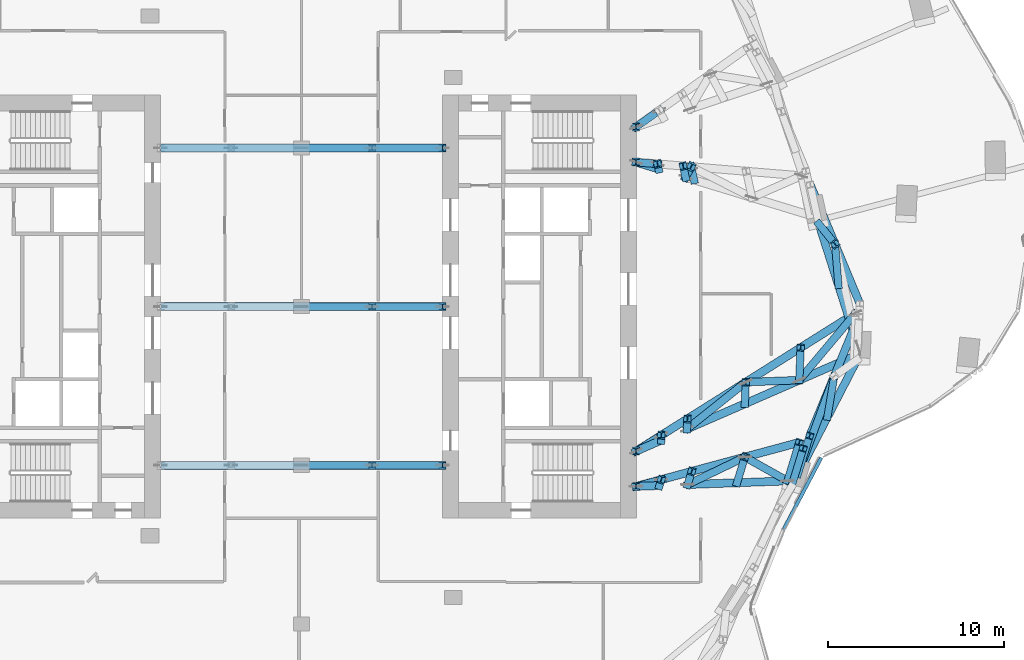
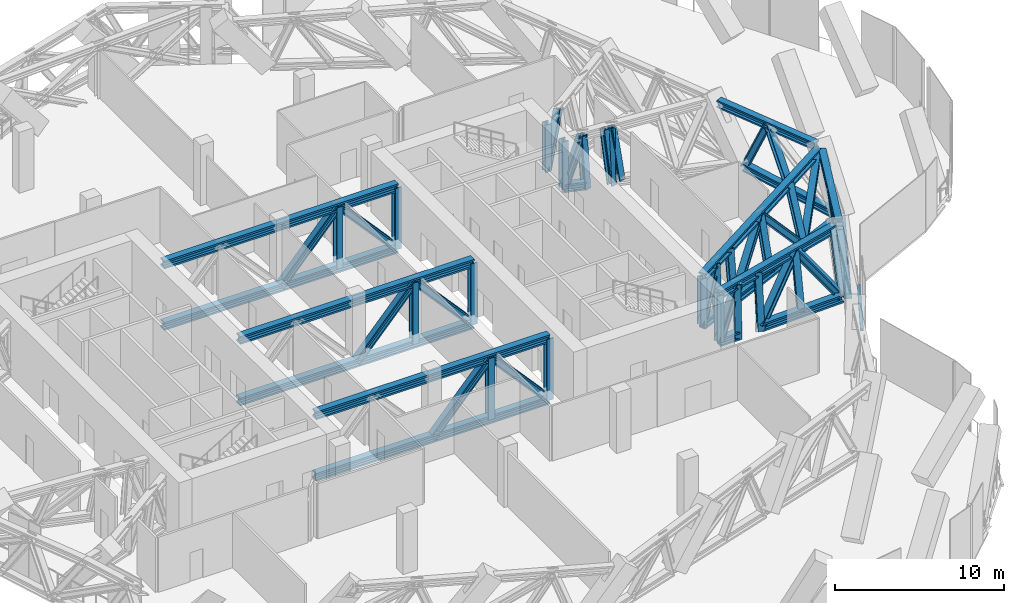
# One storey, part 9 of 31: 61 members, 1 element without a shape of its own.
"""IFC4 building model written with IfcOpenShell, lengths in metres."""

from ifc_helpers import new_model, si_unit, direction, frame, origin, origin_2d, place, context, subcontext, project, spatial, rectangle, i_section, extrude, material, material_profile, profile_set, type_object, element, aggregate, save


model = new_model("IFC4")

# Units and contexts
model_context = context("Model", 3, precision=1e-05, world=origin(), true_north=direction((0.0, 1.0)))
body_context = subcontext(model_context, "Body", "Model", "MODEL_VIEW")
ifc_project = project(units=[si_unit("LENGTHUNIT", "METRE"), si_unit("AREAUNIT", "SQUARE_METRE"), si_unit("VOLUMEUNIT", "CUBIC_METRE"), si_unit("PLANEANGLEUNIT", "RADIAN"), si_unit("MASSUNIT", "GRAM", prefix="KILO")], contexts=[model_context])

# Site, building, storey
site_placement = place(None, origin())
site = spatial("IfcSite", under=ifc_project, at=site_placement, CompositionType="ELEMENT")
building_placement = place(site_placement, origin())
building = spatial("IfcBuilding", under=site, at=building_placement, Name="Orlundy Tower", CompositionType="ELEMENT")
storey_placement = place(building_placement, frame((0.0, 0.0, 271.0)))
storey = spatial("IfcBuildingStorey", under=building, at=storey_placement, Name="L72", CompositionType="ELEMENT", Elevation=271.0)

# Members
ifc_material_1 = material(Name="Steel ASTM A992 Gr 50", Category="steel")
ifc_material_profile_1 = material_profile(ifc_material_1, i_section(OverallWidth=0.4423828125, OverallDepth=0.531494140625, WebThickness=0.06591796875, FlangeThickness=0.105712890625, at=origin_2d()), Name="W14X605")
ifc_profile_set_1 = profile_set([ifc_material_profile_1], Name="Steel ASTM A992 Gr 50")
member_type_1 = type_object("IfcMemberType", Name="BELT TRUSS chord W14X605", PredefinedType="CHORD", material=ifc_profile_set_1)
member_1_placement = place(storey_placement, frame((28.1630859375, -9.5166015625, 0.28466796875), z_axis=(0.458704164439, 0.888589044231, 0.0), x_axis=(-0.888589044231, 0.458704164439, 0.0)))
element("IfcMember", 1, at=member_1_placement, inside=storey, type_object=member_type_1, Name="Belt truss bottom chord BT-11", PredefinedType="CHORD", context=body_context, shape_type="SweptSolid", body=[
    extrude(i_section(OverallWidth=0.4423828125, OverallDepth=0.531494140625, WebThickness=0.06591796875, FlangeThickness=0.105712890625, at=origin_2d()), origin(), (0.0, 0.0, 1.0), 7.310791015625),
])
member_2_placement = place(storey_placement, frame((28.831298828125, -7.3291015625, 3.71533203125), z_axis=(0.38092781921, 0.924604778569, 0.0), x_axis=(-0.924604778569, 0.38092781921, 0.0)))
element("IfcMember", 2, at=member_2_placement, inside=storey, type_object=member_type_1, Name="Belt truss top chord BT-11", PredefinedType="CHORD", context=body_context, shape_type="SweptSolid", body=[
    extrude(i_section(OverallWidth=0.4423828125, OverallDepth=0.531494140625, WebThickness=0.06591796875, FlangeThickness=0.105712890625, at=origin_2d()), origin(), (0.0, 0.0, 1.0), 7.3115234375),
])
member_3_placement = place(storey_placement, frame((31.578857421875, -2.279052734375, 0.28466796875), z_axis=(-0.304040173793, 0.952659211219, 0.0), x_axis=(-0.952659211219, -0.304040173793, 0.0)))
element("IfcMember", 3, at=member_3_placement, inside=storey, type_object=member_type_1, Name="Belt truss bottom chord BT-12", PredefinedType="CHORD", context=body_context, shape_type="SweptSolid", body=[
    extrude(i_section(OverallWidth=0.4423828125, OverallDepth=0.531494140625, WebThickness=0.06591796875, FlangeThickness=0.105712890625, at=origin_2d()), origin(), (0.0, 0.0, 1.0), 7.311279296875),
])
member_4_placement = place(storey_placement, frame((31.6787109375, 0.172119140625, 3.71533203125), z_axis=(-0.384366396664, 0.923180628651, 0.0), x_axis=(-0.923180628651, -0.384366396664, 0.0)))
element("IfcMember", 4, at=member_4_placement, inside=storey, type_object=member_type_1, Name="Belt truss top chord BT-12", PredefinedType="CHORD", context=body_context, shape_type="SweptSolid", body=[
    extrude(i_section(OverallWidth=0.4423828125, OverallDepth=0.531494140625, WebThickness=0.06591796875, FlangeThickness=0.105712890625, at=origin_2d()), origin(), (0.0, 0.0, 1.0), 7.310791015625),
])
ifc_material_2 = material(Name="Steel ASTM A992 Gr 50", Category="steel")
ifc_material_profile_2 = material_profile(ifc_material_2, i_section(OverallWidth=0.42431640625, OverallDepth=0.47412109375, WebThickness=0.0478515625, FlangeThickness=0.0771484375, at=origin_2d()), Name="W14X426")
ifc_profile_set_2 = profile_set([ifc_material_profile_2], Name="Steel ASTM A992 Gr 50")
member_type_2 = type_object("IfcMemberType", Name="BELT TRUSS diagonal W14X426", PredefinedType="BRACE", material=ifc_profile_set_2)
member_5_placement = place(storey_placement, frame((28.1630859375, -9.5166015625, 0.28466796875), z_axis=(0.300549993706, 0.811994148378, 0.500335091997), x_axis=(-0.93781967783, 0.347122819582, 0.0)))
element("IfcMember", 5, at=member_5_placement, inside=storey, type_object=member_type_2, Name="Belt truss diagonal BT-11-0", PredefinedType="BRACE", context=body_context, shape_type="SweptSolid", body=[
    extrude(i_section(OverallWidth=0.42431640625, OverallDepth=0.47412109375, WebThickness=0.0478515625, FlangeThickness=0.0771484375, at=origin_2d()), origin(), (0.0, 0.0, 1.0), 6.856689453125),
])
member_6_placement = place(storey_placement, frame((30.273681640625, 3.546875, 3.71533203125), z_axis=(-0.246070074277, 0.305443726145, -0.919866103683), x_axis=(-0.778731260237, -0.627357652643, 0.0)))
element("IfcMember", 6, at=member_6_placement, inside=storey, type_object=member_type_2, Name="Belt truss diagonal BT-12-1", PredefinedType="BRACE", context=body_context, shape_type="SweptSolid", body=[
    extrude(i_section(OverallWidth=0.42431640625, OverallDepth=0.47412109375, WebThickness=0.0478515625, FlangeThickness=0.0771484375, at=origin_2d()), origin(), (0.0, 0.0, 1.0), 3.7294921875),
])
ifc_material_3 = material(Name="Steel ASTM A992 Gr 50", Category="steel")
ifc_material_profile_3 = material_profile(ifc_material_3, i_section(OverallWidth=0.412109375, OverallDepth=0.434814453125, WebThickness=0.035888671875, FlangeThickness=0.057373046875, at=origin_2d()), Name="W14X311")
ifc_profile_set_3 = profile_set([ifc_material_profile_3], Name="Steel ASTM A992 Gr 50")
member_type_3 = type_object("IfcMemberType", Name="BELT TRUSS post W14X311", PredefinedType="POST", material=ifc_profile_set_3)
for number, where, z_axis, x_axis, name in (
    (7, (27.7939453125, -10.232177734375, 0.28466796875), (0.161997344002, 0.530576827341, 0.832012674678), (-0.956413689737, 0.29201516071, 0.0), "Belt truss post BT-10-2"),
    (8, (28.1630859375, -9.5166015625, 0.28466796875), (0.162060089735, 0.530529194017, 0.832030829724), (-0.956374768731, 0.292142605136, 0.0), "Belt truss post BT-11-0"),
):
    element("IfcMember", number, at=place(storey_placement, frame(where, z_axis=z_axis, x_axis=x_axis)), inside=storey, type_object=member_type_3, Name=name, PredefinedType="POST", context=body_context, shape_type="SweptSolid", body=[
        extrude(i_section(OverallWidth=0.412109375, OverallDepth=0.434814453125, WebThickness=0.035888671875, FlangeThickness=0.057373046875, at=origin_2d()), origin(), (0.0, 0.0, 1.0), 4.123291015625),
    ])
member_7_placement = place(storey_placement, frame((29.83984375, -6.2685546875, 0.28466796875), z_axis=(0.092337581766, 0.557723689992, 0.824874570232), x_axis=(-0.98657015958, 0.163338055049, 0.0)))
element("IfcMember", 9, at=member_7_placement, inside=storey, type_object=member_type_3, Name="Belt truss post BT-11-1", PredefinedType="POST", context=body_context, shape_type="SweptSolid", body=[
    extrude(i_section(OverallWidth=0.412109375, OverallDepth=0.434814453125, WebThickness=0.035888671875, FlangeThickness=0.057373046875, at=origin_2d()), origin(), (0.0, 0.0, 1.0), 4.158935546875),
])
member_8_placement = place(storey_placement, frame((30.46728515625, 1.20361328125, 0.28466796875), z_axis=(-0.04654977986, 0.563410828624, 0.824864447158), x_axis=(-0.996604229365, -0.0823408162, 0.0)))
element("IfcMember", 10, at=member_8_placement, inside=storey, type_object=member_type_3, Name="Belt truss post BT-12-1", PredefinedType="POST", context=body_context, shape_type="SweptSolid", body=[
    extrude(i_section(OverallWidth=0.412109375, OverallDepth=0.434814453125, WebThickness=0.035888671875, FlangeThickness=0.057373046875, at=origin_2d()), origin(), (0.0, 0.0, 1.0), 4.1591796875),
])

# Curtain wall, member
ifc_material_4 = material(Name="Aluminium bronze anodised", Category="aluminium")
curtain_wall_type = type_object("IfcCurtainWallType", Name="CW4 wall", PredefinedType="NOTDEFINED", material=ifc_material_4)
curtain_wall_placement = place(storey_placement, origin())
curtain_wall = element("IfcCurtainWall", 11, at=curtain_wall_placement, inside=storey, type_object=curtain_wall_type, Name="CW4 run 030", PredefinedType="NOTDEFINED")
ifc_material_5 = material(Name="Aluminium bronze anodised", Category="aluminium")
ifc_material_profile_4 = material_profile(ifc_material_5, rectangle(XDim=0.199951171875, YDim=0.14990234375, at=origin_2d()), Name="CW4 transom 200x150")
ifc_profile_set_4 = profile_set([ifc_material_profile_4], Name="Aluminium bronze anodised")
member_type_4 = type_object("IfcMemberType", Name="CW4 transom 200x150", PredefinedType="USERDEFINED", material=ifc_profile_set_4)
member_9_placement = place(storey_placement, frame((29.495361328125, -8.565185546875, -0.375), z_axis=(-0.46439269995, -0.885629392146, 0.0), x_axis=(0.885629392146, -0.46439269995, 0.0)))
member_9 = element("IfcMember", 12, at=member_9_placement, type_object=member_type_4, Name="CW4 transom", ObjectType="TRANSOM", PredefinedType="USERDEFINED", context=body_context, shape_type="SweptSolid", body=[
    extrude(rectangle(XDim=0.199951171875, YDim=0.14990234375, at=origin_2d()), origin(), (0.0, 0.0, 1.0), 4.587890625),
])
aggregate(curtain_wall, [member_9])

# Members
ifc_material_6 = material(Name="Steel ASTM A992 Gr 50", Category="steel")
ifc_material_profile_5 = material_profile(ifc_material_6, i_section(OverallWidth=0.454345703125, OverallDepth=0.569580078125, WebThickness=0.077880859375, FlangeThickness=0.124755859375, at=origin_2d()), Name="W14X730")
ifc_profile_set_5 = profile_set([ifc_material_profile_5], Name="Steel ASTM A992 Gr 50")
member_type_5 = type_object("IfcMemberType", Name="OUTRIGGER TRUSS chord W14X730", PredefinedType="CHORD", material=ifc_profile_set_5)
member_10_placement = place(storey_placement, frame((18.97998046875, -10.199951171875, 0.28466796875), z_axis=(0.999346865511, 0.036136441356, 0.0), x_axis=(-0.036136441356, 0.999346865511, 0.0)))
element("IfcMember", 13, at=member_10_placement, inside=storey, type_object=member_type_5, Name="Outrigger truss bottom chord OR-E-C-H08", PredefinedType="CHORD", context=body_context, shape_type="SweptSolid", body=[
    extrude(i_section(OverallWidth=0.454345703125, OverallDepth=0.569580078125, WebThickness=0.077880859375, FlangeThickness=0.124755859375, at=origin_2d()), origin(), (0.0, 0.0, 1.0), 1.3310546875),
])
member_11_placement = place(storey_placement, frame((21.9091796875, -10.093994140625, 0.28466796875), z_axis=(0.999345850295, 0.036164506042, 0.0), x_axis=(-0.036164506042, 0.999345850295, 0.0)))
element("IfcMember", 14, at=member_11_placement, inside=storey, type_object=member_type_5, Name="Outrigger truss bottom chord OR-E-C-H082", PredefinedType="CHORD", context=body_context, shape_type="SweptSolid", body=[
    extrude(i_section(OverallWidth=0.454345703125, OverallDepth=0.569580078125, WebThickness=0.077880859375, FlangeThickness=0.124755859375, at=origin_2d()), origin(), (0.0, 0.0, 1.0), 5.670654296875),
])
member_12_placement = place(storey_placement, frame((18.97998046875, -10.199951171875, 3.71533203125), z_axis=(0.965497496513, 0.260412335015, 0.0), x_axis=(-0.260412335015, 0.965497496513, 0.0)))
element("IfcMember", 15, at=member_12_placement, inside=storey, type_object=member_type_5, Name="Outrigger truss top chord OR-E-C-H08", PredefinedType="CHORD", context=body_context, shape_type="SweptSolid", body=[
    extrude(i_section(OverallWidth=0.454345703125, OverallDepth=0.569580078125, WebThickness=0.077880859375, FlangeThickness=0.124755859375, at=origin_2d()), origin(), (0.0, 0.0, 1.0), 9.595458984375),
])
member_13_placement = place(storey_placement, frame((18.97998046875, -8.199951171875, 0.28466796875), z_axis=(0.91692012074, 0.399070785929, 0.0), x_axis=(-0.399070785929, 0.91692012074, 0.0)))
element("IfcMember", 16, at=member_13_placement, inside=storey, type_object=member_type_5, Name="Outrigger truss bottom chord OR-E-C-H07", PredefinedType="CHORD", context=body_context, shape_type="SweptSolid", body=[
    extrude(i_section(OverallWidth=0.454345703125, OverallDepth=0.569580078125, WebThickness=0.077880859375, FlangeThickness=0.124755859375, at=origin_2d()), origin(), (0.0, 0.0, 1.0), 1.553955078125),
])
member_14_placement = place(storey_placement, frame((21.871826171875, -6.941162109375, 0.28466796875), z_axis=(0.91690407926, 0.399107641416, 0.0), x_axis=(-0.399107641416, 0.91690407926, 0.0)))
element("IfcMember", 17, at=member_14_placement, inside=storey, type_object=member_type_5, Name="Outrigger truss bottom chord OR-E-C-H072", PredefinedType="CHORD", context=body_context, shape_type="SweptSolid", body=[
    extrude(i_section(OverallWidth=0.454345703125, OverallDepth=0.569580078125, WebThickness=0.077880859375, FlangeThickness=0.124755859375, at=origin_2d()), origin(), (0.0, 0.0, 1.0), 10.31787109375),
])
member_15_placement = place(storey_placement, frame((18.97998046875, -8.199951171875, 3.71533203125), z_axis=(0.846599366914, 0.532230694287, 0.0), x_axis=(-0.532230694287, 0.846599366914, 0.0)))
element("IfcMember", 18, at=member_15_placement, inside=storey, type_object=member_type_5, Name="Outrigger truss top chord OR-E-C-H07", PredefinedType="CHORD", context=body_context, shape_type="SweptSolid", body=[
    extrude(i_section(OverallWidth=0.454345703125, OverallDepth=0.569580078125, WebThickness=0.077880859375, FlangeThickness=0.124755859375, at=origin_2d()), origin(), (0.0, 0.0, 1.0), 14.708251953125),
])
member_16_placement = place(storey_placement, frame((18.97998046875, 8.199951171875, 0.28466796875), z_axis=(0.956422199644, -0.291987287444, 0.0), x_axis=(0.291987287444, 0.956422199644, 0.0)))
element("IfcMember", 19, at=member_16_placement, inside=storey, type_object=member_type_5, Name="Outrigger truss bottom chord OR-E-C-H06", PredefinedType="CHORD", context=body_context, shape_type="SweptSolid", body=[
    extrude(i_section(OverallWidth=0.454345703125, OverallDepth=0.569580078125, WebThickness=0.077880859375, FlangeThickness=0.124755859375, at=origin_2d()), origin(), (0.0, 0.0, 1.0), 1.341064453125),
])
ifc_material_7 = material(Name="Steel ASTM A992 Gr 50", Category="steel")
ifc_material_profile_6 = material_profile(ifc_material_7, i_section(OverallWidth=0.43212890625, OverallDepth=0.497802734375, WebThickness=0.0556640625, FlangeThickness=0.0888671875, at=origin_2d()), Name="W14X500")
ifc_profile_set_6 = profile_set([ifc_material_profile_6], Name="Steel ASTM A992 Gr 50")
member_type_6 = type_object("IfcMemberType", Name="OUTRIGGER TRUSS diagonal W14X500", PredefinedType="BRACE", material=ifc_profile_set_6)
member_17_placement = place(storey_placement, frame((18.97998046875, -10.199951171875, 0.28466796875), z_axis=(0.383500187585, 0.103385694303, 0.917735803124), x_axis=(-0.260291885528, 0.965529975883, 0.0)))
element("IfcMember", 20, at=member_17_placement, inside=storey, type_object=member_type_6, Name="Outrigger truss diagonal OR-E-C-H08-0", PredefinedType="BRACE", context=body_context, shape_type="SweptSolid", body=[
    extrude(i_section(OverallWidth=0.43212890625, OverallDepth=0.497802734375, WebThickness=0.0556640625, FlangeThickness=0.0888671875, at=origin_2d()), origin(), (0.0, 0.0, 1.0), 3.73828125),
])
member_18_placement = place(storey_placement, frame((21.9091796875, -10.093994140625, 0.28466796875), z_axis=(0.652739195593, 0.31356020456, 0.689645953119), x_axis=(-0.433006460857, 0.901390816936, 0.0)))
element("IfcMember", 21, at=member_18_placement, inside=storey, type_object=member_type_6, Name="Outrigger truss diagonal OR-E-C-H08-2", PredefinedType="BRACE", context=body_context, shape_type="SweptSolid", body=[
    extrude(i_section(OverallWidth=0.43212890625, OverallDepth=0.497802734375, WebThickness=0.0556640625, FlangeThickness=0.0888671875, at=origin_2d()), origin(), (0.0, 0.0, 1.0), 4.974609375),
])
member_19_placement = place(storey_placement, frame((25.15625, -8.5341796875, 3.71533203125), z_axis=(0.548556203985, -0.307096284898, -0.777674715335), x_axis=(0.48848809778, 0.872570557793, 0.0)))
element("IfcMember", 22, at=member_19_placement, inside=storey, type_object=member_type_6, Name="Outrigger truss diagonal OR-E-C-H08-3", PredefinedType="BRACE", context=body_context, shape_type="SweptSolid", body=[
    extrude(i_section(OverallWidth=0.43212890625, OverallDepth=0.497802734375, WebThickness=0.0556640625, FlangeThickness=0.0888671875, at=origin_2d()), origin(), (0.0, 0.0, 1.0), 4.411376953125),
])
member_20_placement = place(storey_placement, frame((18.97998046875, -8.199951171875, 0.28466796875), z_axis=(0.375336812226, 0.235893190281, 0.896368607308), x_axis=(-0.532118499725, 0.846669889774, 0.0)))
element("IfcMember", 23, at=member_20_placement, inside=storey, type_object=member_type_6, Name="Outrigger truss diagonal OR-E-C-H07-0", PredefinedType="BRACE", context=body_context, shape_type="SweptSolid", body=[
    extrude(i_section(OverallWidth=0.43212890625, OverallDepth=0.497802734375, WebThickness=0.0556640625, FlangeThickness=0.0888671875, at=origin_2d()), origin(), (0.0, 0.0, 1.0), 3.827392578125),
])
member_21_placement = place(storey_placement, frame((21.871826171875, -6.941162109375, 0.28466796875), z_axis=(0.609384116779, 0.485294109548, 0.627009270629), x_axis=(-0.622961184341, 0.782252748671, 0.0)))
element("IfcMember", 24, at=member_21_placement, inside=storey, type_object=member_type_6, Name="Outrigger truss diagonal OR-E-C-H07-2", PredefinedType="BRACE", context=body_context, shape_type="SweptSolid", body=[
    extrude(i_section(OverallWidth=0.43212890625, OverallDepth=0.497802734375, WebThickness=0.0556640625, FlangeThickness=0.0888671875, at=origin_2d()), origin(), (0.0, 0.0, 1.0), 5.471435546875),
])
member_22_placement = place(storey_placement, frame((25.2060546875, -4.285888671875, 3.71533203125), z_axis=(0.662752616087, 0.025830522244, -0.748392780557), x_axis=(-0.038945038316, 0.999241354224, 0.0)))
element("IfcMember", 25, at=member_22_placement, inside=storey, type_object=member_type_6, Name="Outrigger truss diagonal OR-E-C-H07-3", PredefinedType="BRACE", context=body_context, shape_type="SweptSolid", body=[
    extrude(i_section(OverallWidth=0.43212890625, OverallDepth=0.497802734375, WebThickness=0.0556640625, FlangeThickness=0.0888671875, at=origin_2d()), origin(), (0.0, 0.0, 1.0), 4.583984375),
])
member_23_placement = place(storey_placement, frame((28.244140625, -4.16748046875, 0.28466796875), z_axis=(0.528812836555, 0.629658663546, 0.56911066702), x_axis=(-0.765765020731, 0.643120465407, 0.0)))
element("IfcMember", 26, at=member_23_placement, inside=storey, type_object=member_type_6, Name="Outrigger truss diagonal OR-E-C-H07-4", PredefinedType="BRACE", context=body_context, shape_type="SweptSolid", body=[
    extrude(i_section(OverallWidth=0.43212890625, OverallDepth=0.497802734375, WebThickness=0.0556640625, FlangeThickness=0.0888671875, at=origin_2d()), origin(), (0.0, 0.0, 1.0), 6.028076171875),
])
member_24_placement = place(storey_placement, frame((18.97998046875, 8.199951171875, 0.28466796875), z_axis=(0.334745765878, -0.027750249714, 0.941899780161), x_axis=(0.082616083207, 0.996581448149, 0.0)))
element("IfcMember", 27, at=member_24_placement, inside=storey, type_object=member_type_6, Name="Outrigger truss diagonal OR-E-C-H06-0", PredefinedType="BRACE", context=body_context, shape_type="SweptSolid", body=[
    extrude(i_section(OverallWidth=0.43212890625, OverallDepth=0.497802734375, WebThickness=0.0556640625, FlangeThickness=0.0888671875, at=origin_2d()), origin(), (0.0, 0.0, 1.0), 3.642333984375),
])
member_25_placement = place(storey_placement, frame((21.792724609375, 7.34130859375, 0.28466796875), z_axis=(0.089925019921, 0.171471932396, 0.981076381936), x_axis=(-0.885605581266, 0.464438106136, 0.0)))
element("IfcMember", 28, at=member_25_placement, inside=storey, type_object=member_type_6, Name="Outrigger truss diagonal OR-E-C-H06-2", PredefinedType="BRACE", context=body_context, shape_type="SweptSolid", body=[
    extrude(i_section(OverallWidth=0.43212890625, OverallDepth=0.497802734375, WebThickness=0.0556640625, FlangeThickness=0.0888671875, at=origin_2d()), origin(), (0.0, 0.0, 1.0), 3.496826171875),
])
member_26_placement = place(storey_placement, frame((18.97998046875, 10.199951171875, 0.28466796875), z_axis=(0.347615127033, 0.246806740193, 0.904571808345), x_axis=(-0.57892191908, 0.81538298462, 0.0)))
element("IfcMember", 29, at=member_26_placement, inside=storey, type_object=member_type_6, Name="Outrigger truss diagonal OR-E-C-H05-0", PredefinedType="BRACE", context=body_context, shape_type="SweptSolid", body=[
    extrude(i_section(OverallWidth=0.43212890625, OverallDepth=0.497802734375, WebThickness=0.0556640625, FlangeThickness=0.0888671875, at=origin_2d()), origin(), (0.0, 0.0, 1.0), 3.79248046875),
])
ifc_material_8 = material(Name="Steel ASTM A992 Gr 50", Category="steel")
ifc_material_profile_7 = material_profile(ifc_material_8, i_section(OverallWidth=0.41845703125, OverallDepth=0.455078125, WebThickness=0.0419921875, FlangeThickness=0.067626953125, at=origin_2d()), Name="W14X370")
ifc_profile_set_7 = profile_set([ifc_material_profile_7], Name="Steel ASTM A992 Gr 50")
member_type_7 = type_object("IfcMemberType", Name="OUTRIGGER TRUSS post W14X370", PredefinedType="POST", material=ifc_profile_set_7)
member_27_placement = place(storey_placement, frame((18.97998046875, -10.199951171875, 0.28466796875), z_axis=(0.0, 0.0, 1.0), x_axis=(1.0, 0.0, 0.0)))
element("IfcMember", 30, at=member_27_placement, inside=storey, type_object=member_type_7, Name="Outrigger truss post OR-E-C-H08-0", PredefinedType="POST", context=body_context, shape_type="SweptSolid", body=[
    extrude(i_section(OverallWidth=0.41845703125, OverallDepth=0.455078125, WebThickness=0.0419921875, FlangeThickness=0.067626953125, at=origin_2d()), origin(), (0.0, 0.0, 1.0), 3.4306640625),
])
member_28_placement = place(storey_placement, frame((20.31005859375, -10.15185546875, 0.0), z_axis=(0.027736226531, 0.090666061254, 0.995495036188), x_axis=(-0.956255112603, 0.292534031561, 0.0)))
element("IfcMember", 31, at=member_28_placement, inside=storey, type_object=member_type_7, Name="Outrigger truss post OR-E-C-H08-1", PredefinedType="POST", context=body_context, shape_type="SweptSolid", body=[
    extrude(i_section(OverallWidth=0.41845703125, OverallDepth=0.455078125, WebThickness=0.0419921875, FlangeThickness=0.067626953125, at=origin_2d()), origin(), (0.0, 0.0, 1.0), 3.732177734375),
])
member_29_placement = place(storey_placement, frame((21.9091796875, -10.093994140625, 0.0), z_axis=(0.059938857246, 0.196344775937, 0.978701211992), x_axis=(-0.956426928492, 0.291971797365, 0.0)))
element("IfcMember", 32, at=member_29_placement, inside=storey, type_object=member_type_7, Name="Outrigger truss post OR-E-C-H08-2", PredefinedType="POST", context=body_context, shape_type="SweptSolid", body=[
    extrude(i_section(OverallWidth=0.41845703125, OverallDepth=0.455078125, WebThickness=0.0419921875, FlangeThickness=0.067626953125, at=origin_2d()), origin(), (0.0, 0.0, 1.0), 3.796142578125),
])
member_30_placement = place(storey_placement, frame((24.710693359375, -9.99267578125, 0.28466796875), z_axis=(0.118677254945, 0.388481052626, 0.913782348762), x_axis=(-0.956368967829, 0.292161594625, 0.0)))
element("IfcMember", 33, at=member_30_placement, inside=storey, type_object=member_type_7, Name="Outrigger truss post OR-E-C-H08-3", PredefinedType="POST", context=body_context, shape_type="SweptSolid", body=[
    extrude(i_section(OverallWidth=0.41845703125, OverallDepth=0.455078125, WebThickness=0.0419921875, FlangeThickness=0.067626953125, at=origin_2d()), origin(), (0.0, 0.0, 1.0), 3.75439453125),
])
member_31_placement = place(storey_placement, frame((27.576171875, -9.888916015625, 0.28466796875), z_axis=(0.162054998884, 0.530571737302, 0.832004692843), x_axis=(-0.956383877158, 0.292112785602, 0.0)))
element("IfcMember", 34, at=member_31_placement, inside=storey, type_object=member_type_7, Name="Outrigger truss post OR-E-C-H08-4", PredefinedType="POST", context=body_context, shape_type="SweptSolid", body=[
    extrude(i_section(OverallWidth=0.41845703125, OverallDepth=0.455078125, WebThickness=0.0419921875, FlangeThickness=0.067626953125, at=origin_2d()), origin(), (0.0, 0.0, 1.0), 4.123291015625),
])
member_32_placement = place(storey_placement, frame((18.97998046875, -8.199951171875, 0.28466796875), z_axis=(0.0, 0.0, 1.0), x_axis=(1.0, 0.0, 0.0)))
element("IfcMember", 35, at=member_32_placement, inside=storey, type_object=member_type_7, Name="Outrigger truss post OR-E-C-H07-0", PredefinedType="POST", context=body_context, shape_type="SweptSolid", body=[
    extrude(i_section(OverallWidth=0.41845703125, OverallDepth=0.455078125, WebThickness=0.0419921875, FlangeThickness=0.067626953125, at=origin_2d()), origin(), (0.0, 0.0, 1.0), 3.4306640625),
])
member_33_placement = place(storey_placement, frame((20.40478515625, -7.579833984375, 0.0), z_axis=(0.003145051676, 0.075874371686, 0.997112425141), x_axis=(-0.999142021989, 0.041415213347, 0.0)))
element("IfcMember", 36, at=member_33_placement, inside=storey, type_object=member_type_7, Name="Outrigger truss post OR-E-C-H07-1", PredefinedType="POST", context=body_context, shape_type="SweptSolid", body=[
    extrude(i_section(OverallWidth=0.41845703125, OverallDepth=0.455078125, WebThickness=0.0419921875, FlangeThickness=0.067626953125, at=origin_2d()), origin(), (0.0, 0.0, 1.0), 3.72607421875),
])
member_34_placement = place(storey_placement, frame((21.871826171875, -6.941162109375, 0.0), z_axis=(0.006234240194, 0.152673944761, 0.988256950818), x_axis=(-0.999167346095, 0.040799687463, 0.0)))
element("IfcMember", 37, at=member_34_placement, inside=storey, type_object=member_type_7, Name="Outrigger truss post OR-E-C-H07-2", PredefinedType="POST", context=body_context, shape_type="SweptSolid", body=[
    extrude(i_section(OverallWidth=0.41845703125, OverallDepth=0.455078125, WebThickness=0.0419921875, FlangeThickness=0.067626953125, at=origin_2d()), origin(), (0.0, 0.0, 1.0), 3.759521484375),
])
member_35_placement = place(storey_placement, frame((25.156005859375, -5.51171875, 0.28466796875), z_axis=(0.01373671416, 0.336448984365, 0.941601499363), x_axis=(-0.999167556567, 0.040794532782, 0.0)))
element("IfcMember", 38, at=member_35_placement, inside=storey, type_object=member_type_7, Name="Outrigger truss post OR-E-C-H07-3", PredefinedType="POST", context=body_context, shape_type="SweptSolid", body=[
    extrude(i_section(OverallWidth=0.41845703125, OverallDepth=0.455078125, WebThickness=0.0419921875, FlangeThickness=0.067626953125, at=origin_2d()), origin(), (0.0, 0.0, 1.0), 3.6435546875),
])
member_36_placement = place(storey_placement, frame((28.244140625, -4.16748046875, 0.28466796875), z_axis=(0.019252704336, 0.472287023946, 0.881234531999), x_axis=(-0.99917014809, 0.040731009888, 0.0)))
element("IfcMember", 39, at=member_36_placement, inside=storey, type_object=member_type_7, Name="Outrigger truss post OR-E-C-H07-4", PredefinedType="POST", context=body_context, shape_type="SweptSolid", body=[
    extrude(i_section(OverallWidth=0.41845703125, OverallDepth=0.455078125, WebThickness=0.0419921875, FlangeThickness=0.067626953125, at=origin_2d()), origin(), (0.0, 0.0, 1.0), 3.89306640625),
])
member_37_placement = place(storey_placement, frame((18.97998046875, 8.199951171875, 0.28466796875), z_axis=(0.0, 0.0, 1.0), x_axis=(1.0, 0.0, 0.0)))
element("IfcMember", 40, at=member_37_placement, inside=storey, type_object=member_type_7, Name="Outrigger truss post OR-E-C-H06-0", PredefinedType="POST", context=body_context, shape_type="SweptSolid", body=[
    extrude(i_section(OverallWidth=0.41845703125, OverallDepth=0.455078125, WebThickness=0.0419921875, FlangeThickness=0.067626953125, at=origin_2d()), origin(), (0.0, 0.0, 1.0), 3.4306640625),
])
member_38_placement = place(storey_placement, frame((20.2626953125, 7.808349609375, 0.0), z_axis=(-0.017030563561, 0.077947579376, 0.996811985669), x_axis=(-0.976953544828, -0.213452035004, 0.0)))
element("IfcMember", 41, at=member_38_placement, inside=storey, type_object=member_type_7, Name="Outrigger truss post OR-E-C-H06-1", PredefinedType="POST", context=body_context, shape_type="SweptSolid", body=[
    extrude(i_section(OverallWidth=0.41845703125, OverallDepth=0.455078125, WebThickness=0.0419921875, FlangeThickness=0.067626953125, at=origin_2d()), origin(), (0.0, 0.0, 1.0), 3.727294921875),
])
member_39_placement = place(storey_placement, frame((21.792724609375, 7.34130859375, 0.0), z_axis=(-0.036827270501, 0.168861772824, 0.98495149821), x_axis=(-0.97703419254, -0.213082581662, 0.0)))
element("IfcMember", 42, at=member_39_placement, inside=storey, type_object=member_type_7, Name="Outrigger truss post OR-E-C-H06-2", PredefinedType="POST", context=body_context, shape_type="SweptSolid", body=[
    extrude(i_section(OverallWidth=0.41845703125, OverallDepth=0.455078125, WebThickness=0.0419921875, FlangeThickness=0.067626953125, at=origin_2d()), origin(), (0.0, 0.0, 1.0), 3.772216796875),
])
member_40_placement = place(storey_placement, frame((22.26953125, 7.19580078125, 0.28466796875), z_axis=(-0.046196639736, 0.212018262369, 0.976173205378), x_axis=(-0.977075125127, -0.212894809374, 0.0)))
element("IfcMember", 43, at=member_40_placement, inside=storey, type_object=member_type_7, Name="Outrigger truss post OR-E-C-H06-3", PredefinedType="POST", context=body_context, shape_type="SweptSolid", body=[
    extrude(i_section(OverallWidth=0.41845703125, OverallDepth=0.455078125, WebThickness=0.0419921875, FlangeThickness=0.067626953125, at=origin_2d()), origin(), (0.0, 0.0, 1.0), 3.514404296875),
])
member_41_placement = place(storey_placement, frame((18.97998046875, 10.199951171875, 0.28466796875), z_axis=(0.0, 0.0, 1.0), x_axis=(1.0, 0.0, 0.0)))
element("IfcMember", 44, at=member_41_placement, inside=storey, type_object=member_type_7, Name="Outrigger truss post OR-E-C-H05-0", PredefinedType="POST", context=body_context, shape_type="SweptSolid", body=[
    extrude(i_section(OverallWidth=0.41845703125, OverallDepth=0.455078125, WebThickness=0.0419921875, FlangeThickness=0.067626953125, at=origin_2d()), origin(), (0.0, 0.0, 1.0), 3.4306640625),
])
ifc_material_9 = material(Name="Steel ASTM A992 Gr 50", Category="steel")
ifc_material_profile_8 = material_profile(ifc_material_9, i_section(OverallWidth=0.454345703125, OverallDepth=0.569580078125, WebThickness=0.077880859375, FlangeThickness=0.124755859375, at=origin_2d()), Name="W14X730")
ifc_profile_set_8 = profile_set([ifc_material_profile_8], Name="Steel ASTM A992 Gr 50")
member_type_8 = type_object("IfcMemberType", Name="PORTAL TRUSS chord W14X730", PredefinedType="CHORD", material=ifc_profile_set_8)
for number, where, z_axis, x_axis, name in (
    (45, (-8.0, -9.0, -0.734619140625), (1.0, 0.0, 0.0), (0.0, 1.0, 0.0), "Portal truss bottom chord PT-01"),
    (46, (-8.0, -9.0, 3.71533203125), (1.0, 0.0, 0.0), (0.0, 1.0, 0.0), "Portal truss top chord PT-01"),
    (47, (-8.0, 0.0, -0.734619140625), (1.0, 0.0, 0.0), (0.0, 1.0, 0.0), "Portal truss bottom chord PT-02"),
    (48, (-8.0, 0.0, 3.71533203125), (1.0, 0.0, 0.0), (0.0, 1.0, 0.0), "Portal truss top chord PT-02"),
    (49, (-8.0, 9.0, -0.734619140625), (1.0, 0.0, 0.0), (0.0, 1.0, 0.0), "Portal truss bottom chord PT-03"),
    (50, (-8.0, 9.0, 3.71533203125), (1.0, 0.0, 0.0), (0.0, 1.0, 0.0), "Portal truss top chord PT-03"),
):
    element("IfcMember", number, at=place(storey_placement, frame(where, z_axis=z_axis, x_axis=x_axis)), inside=storey, type_object=member_type_8, Name=name, PredefinedType="CHORD", context=body_context, shape_type="SweptSolid", body=[
        extrude(i_section(OverallWidth=0.454345703125, OverallDepth=0.569580078125, WebThickness=0.077880859375, FlangeThickness=0.124755859375, at=origin_2d()), origin(), (0.0, 0.0, 1.0), 16.0),
    ])
ifc_material_10 = material(Name="Steel ASTM A992 Gr 50", Category="steel")
ifc_material_profile_9 = material_profile(ifc_material_10, i_section(OverallWidth=0.43212890625, OverallDepth=0.497802734375, WebThickness=0.0556640625, FlangeThickness=0.0888671875, at=origin_2d()), Name="W14X500")
ifc_profile_set_9 = profile_set([ifc_material_profile_9], Name="Steel ASTM A992 Gr 50")
member_type_9 = type_object("IfcMemberType", Name="PORTAL TRUSS diagonal W14X500", PredefinedType="BRACE", material=ifc_profile_set_9)
for number, where, z_axis, x_axis, name in (
    (51, (0.0, -9.0, -0.734619140625), (0.668506986445, 0.0, 0.743705861934), (0.0, 1.0, 0.0), "Portal truss diagonal PT-01-2"),
    (52, (4.0, -9.0, 3.71533203125), (0.668506986445, 0.0, -0.743705861934), (0.0, 1.0, 0.0), "Portal truss diagonal PT-01-3"),
    (53, (0.0, 0.0, -0.734619140625), (0.668506986445, 0.0, 0.743705861934), (0.0, 1.0, 0.0), "Portal truss diagonal PT-02-2"),
    (54, (4.0, 0.0, 3.71533203125), (0.668506986445, 0.0, -0.743705861934), (0.0, 1.0, 0.0), "Portal truss diagonal PT-02-3"),
    (55, (0.0, 9.0, -0.734619140625), (0.668506986445, 0.0, 0.743705861934), (0.0, 1.0, 0.0), "Portal truss diagonal PT-03-2"),
    (56, (4.0, 9.0, 3.71533203125), (0.668506986445, 0.0, -0.743705861934), (0.0, 1.0, 0.0), "Portal truss diagonal PT-03-3"),
):
    element("IfcMember", number, at=place(storey_placement, frame(where, z_axis=z_axis, x_axis=x_axis)), inside=storey, type_object=member_type_9, Name=name, PredefinedType="BRACE", context=body_context, shape_type="SweptSolid", body=[
        extrude(i_section(OverallWidth=0.43212890625, OverallDepth=0.497802734375, WebThickness=0.0556640625, FlangeThickness=0.0888671875, at=origin_2d()), origin(), (0.0, 0.0, 1.0), 5.9833984375),
    ])
ifc_material_11 = material(Name="Steel ASTM A992 Gr 50", Category="steel")
ifc_material_profile_10 = material_profile(ifc_material_11, i_section(OverallWidth=0.41845703125, OverallDepth=0.455078125, WebThickness=0.0419921875, FlangeThickness=0.067626953125, at=origin_2d()), Name="W14X370")
ifc_profile_set_10 = profile_set([ifc_material_profile_10], Name="Steel ASTM A992 Gr 50")
member_type_10 = type_object("IfcMemberType", Name="PORTAL TRUSS post W14X370", PredefinedType="POST", material=ifc_profile_set_10)
for number, where, z_axis, x_axis, name in (
    (57, (4.0, -9.0, -0.734619140625), (0.0, 0.0, 1.0), (1.0, 0.0, 0.0), "Portal truss post PT-01-3"),
    (58, (8.0, -9.0, -0.734619140625), (0.0, 0.0, 1.0), (1.0, 0.0, 0.0), "Portal truss post PT-01-4"),
    (59, (4.0, 0.0, -0.734619140625), (0.0, 0.0, 1.0), (1.0, 0.0, 0.0), "Portal truss post PT-02-3"),
    (60, (8.0, 0.0, -0.734619140625), (0.0, 0.0, 1.0), (1.0, 0.0, 0.0), "Portal truss post PT-02-4"),
    (61, (4.0, 9.0, -0.734619140625), (0.0, 0.0, 1.0), (1.0, 0.0, 0.0), "Portal truss post PT-03-3"),
    (62, (8.0, 9.0, -0.734619140625), (0.0, 0.0, 1.0), (1.0, 0.0, 0.0), "Portal truss post PT-03-4"),
):
    element("IfcMember", number, at=place(storey_placement, frame(where, z_axis=z_axis, x_axis=x_axis)), inside=storey, type_object=member_type_10, Name=name, PredefinedType="POST", context=body_context, shape_type="SweptSolid", body=[
        extrude(i_section(OverallWidth=0.41845703125, OverallDepth=0.455078125, WebThickness=0.0419921875, FlangeThickness=0.067626953125, at=origin_2d()), origin(), (0.0, 0.0, 1.0), 4.449951171875),
    ])

save(model, "model.ifc")
